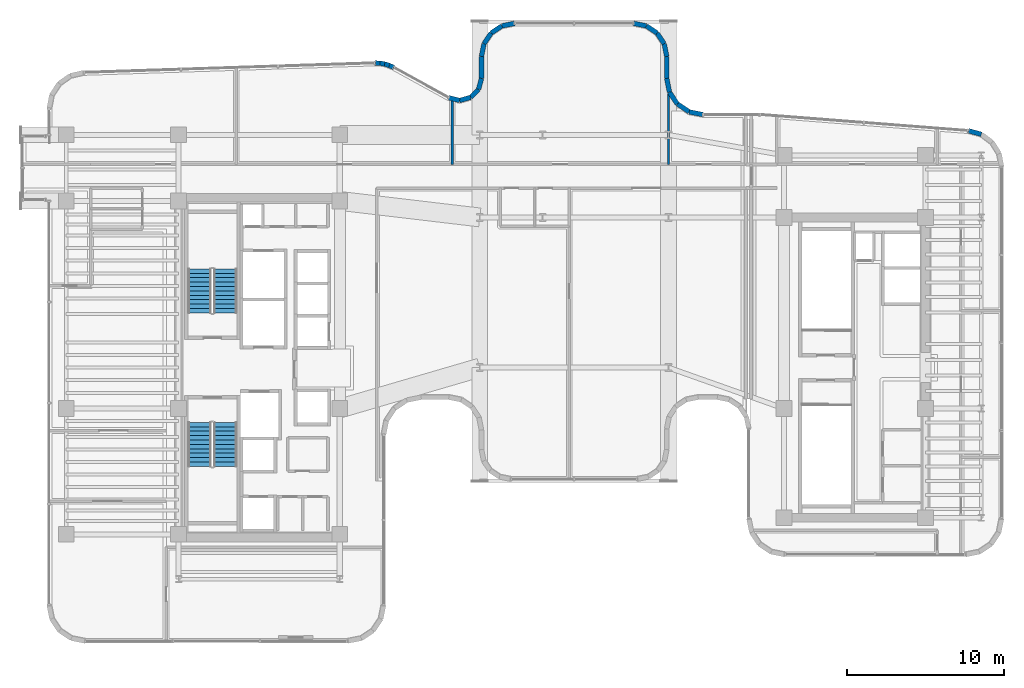
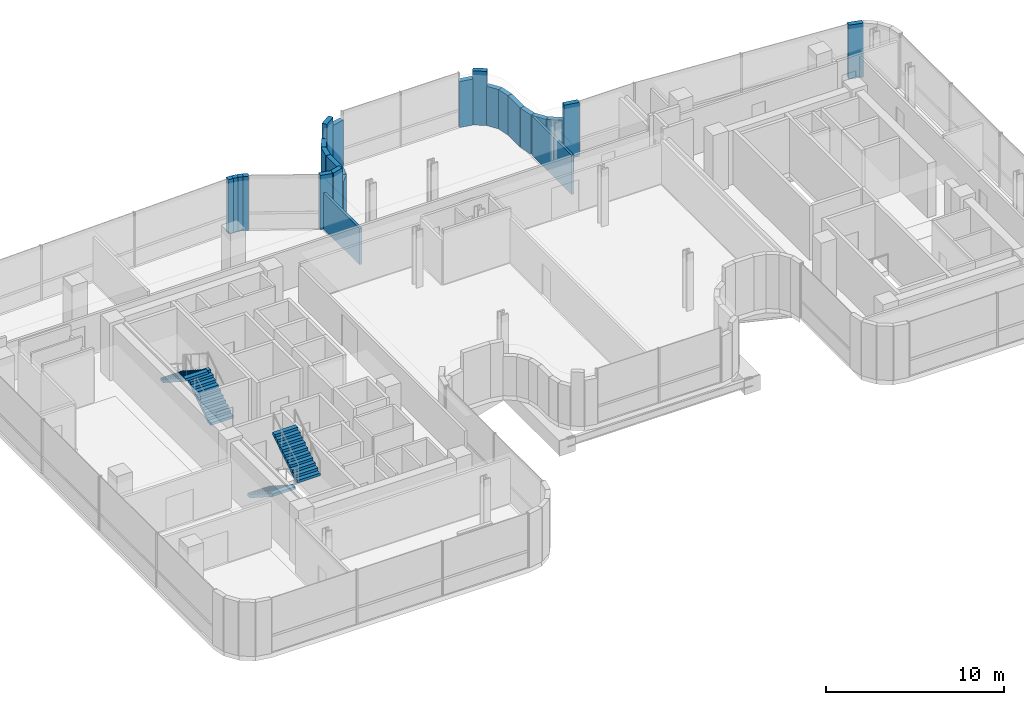
# One storey, part 31 of 35: 25 walls, 4 stair flights, 2 elements without a shape of their own.
"""IFC4 building model written with IfcOpenShell, lengths in metres."""

from ifc_helpers import new_model, si_unit, direction, frame, frame_2d, origin, place, context, subcontext, project, spatial, polyline, rectangle, outline, extrude, material, layer, layer_set, type_object, element, aggregate, save


model = new_model("IFC4")

# Units and contexts
model_context = context("Model", 3, precision=1e-05, world=origin(), true_north=direction((0.0, 1.0)))
body_context = subcontext(model_context, "Body", "Model", "MODEL_VIEW")
ifc_project = project(units=[si_unit("LENGTHUNIT", "METRE"), si_unit("AREAUNIT", "SQUARE_METRE"), si_unit("VOLUMEUNIT", "CUBIC_METRE"), si_unit("PLANEANGLEUNIT", "RADIAN"), si_unit("MASSUNIT", "GRAM", prefix="KILO")], contexts=[model_context])

# Site, building, storey
site_placement = place(None, origin())
site = spatial("IfcSite", under=ifc_project, at=site_placement, CompositionType="ELEMENT")
building_placement = place(site_placement, origin())
building = spatial("IfcBuilding", under=site, at=building_placement, Name="Valdorenza Pilgrim Sanctuary Tower", CompositionType="ELEMENT")
storey_placement = place(building_placement, frame((0.0, 0.0, 192.35009765625)))
storey = spatial("IfcBuildingStorey", under=building, at=storey_placement, Name="L49", CompositionType="ELEMENT", Elevation=192.35009765625)

# Walls
ifc_material_1 = material(Name="Honed travertine limestone", Category="masonry")
ifc_layer_1 = layer(ifc_material_1, 0.300048828125, Name="Honed travertine limestone")
ifc_layer_set_1 = layer_set([ifc_layer_1], Name="Honed travertine limestone")
wall_type_1 = type_object("IfcWallType", Name="WAL-EXT-300", PredefinedType="SOLIDWALL", material=ifc_layer_set_1)
wall_1_placement = place(storey_placement, frame((-10.157958984375, 19.368408203125, 0.0), z_axis=(0.0, 0.0, 1.0), x_axis=(0.999425494718, -0.03389218949, 0.0)))
element("IfcWall", 1, at=wall_1_placement, inside=storey, type_object=wall_type_1, Name="L49 Rounded Wind-Corner Stone Pier 7", PredefinedType="SOLIDWALL", context=body_context, shape_type="SweptSolid", body=[
    extrude(rectangle(XDim=0.309814453125, YDim=0.300048828125, at=frame_2d((0.15478515625, 0.0))), origin(), (0.0, 0.0, 1.0), 3.7099609375),
])
for number, where, z_axis, x_axis, name in (
    (2, (-9.848388671875, 19.35791015625, 0.0), (0.0, 0.0, 1.0), (0.985894009724, -0.167370850479, 0.0), "L49 Rounded Wind-Corner Stone Pier 8"),
    (3, (-9.54638671875, 19.306640625, 0.0), (0.0, 0.0, 1.0), (0.95479144403, -0.297276467966, 0.0), "L49 Rounded Wind-Corner Stone Pier 9"),
):
    element("IfcWall", number, at=place(storey_placement, frame(where, z_axis=z_axis, x_axis=x_axis)), inside=storey, type_object=wall_type_1, Name=name, PredefinedType="SOLIDWALL", context=body_context, shape_type="SweptSolid", body=[
        extrude(rectangle(XDim=0.306396484375, YDim=0.300048828125, at=frame_2d((0.1533203125, 0.0))), origin(), (0.0, 0.0, 1.0), 3.7099609375),
    ])
wall_2_placement = place(storey_placement, frame((-9.25390625, 19.215576171875, 0.0), z_axis=(0.0, 0.0, 1.0), x_axis=(0.906524902388, -0.42215234377, 0.0)))
element("IfcWall", 4, at=wall_2_placement, inside=storey, type_object=wall_type_1, Name="L49 Rounded Wind-Corner Stone Pier 10", PredefinedType="SOLIDWALL", context=body_context, shape_type="SweptSolid", body=[
    extrude(rectangle(XDim=0.31005859375, YDim=0.300048828125, at=frame_2d((0.155029296875, 0.0))), origin(), (0.0, 0.0, 1.0), 3.7099609375),
])
wall_3_placement = place(storey_placement, frame((-5.4716796875, 17.15869140625, 0.0), z_axis=(0.0, 0.0, 1.0), x_axis=(0.970564820059, -0.240840050789, 0.0)))
element("IfcWall", 5, at=wall_3_placement, inside=storey, type_object=wall_type_1, Name="L49 Rounded Wind-Corner Stone Pier 12", PredefinedType="SOLIDWALL", context=body_context, shape_type="SweptSolid", body=[
    extrude(rectangle(XDim=0.711669921875, YDim=0.300048828125, at=frame_2d((0.35595703125, 0.0))), origin(), (0.0, 0.0, 1.0), 3.7099609375),
])
wall_4_placement = place(storey_placement, frame((-4.781005859375, 16.9873046875, 0.0), z_axis=(0.0, 0.0, 1.0), x_axis=(0.962494705656, 0.271300463662, 0.0)))
element("IfcWall", 6, at=wall_4_placement, inside=storey, type_object=wall_type_1, Name="L49 Rounded Wind-Corner Stone Pier 13", PredefinedType="SOLIDWALL", context=body_context, shape_type="SweptSolid", body=[
    extrude(rectangle(XDim=0.726318359375, YDim=0.300048828125, at=frame_2d((0.36328125, 0.0))), origin(), (0.0, 0.0, 1.0), 3.7099609375),
])
wall_5_placement = place(storey_placement, frame((-4.08203125, 17.184326171875, 0.0), z_axis=(0.0, 0.0, 1.0), x_axis=(0.701538604215, 0.712631452293, 0.0)))
element("IfcWall", 7, at=wall_5_placement, inside=storey, type_object=wall_type_1, Name="L49 Rounded Wind-Corner Stone Pier 14", PredefinedType="SOLIDWALL", context=body_context, shape_type="SweptSolid", body=[
    extrude(rectangle(XDim=0.726318359375, YDim=0.300048828125, at=frame_2d((0.36328125, 0.0))), origin(), (0.0, 0.0, 1.0), 2.69482421875),
])
wall_6_placement = place(storey_placement, frame((-3.572509765625, 17.701904296875, 0.0), z_axis=(0.0, 0.0, 1.0), x_axis=(0.256637481794, 0.966507735581, 0.0)))
element("IfcWall", 8, at=wall_6_placement, inside=storey, type_object=wall_type_1, Name="L49 Rounded Wind-Corner Stone Pier 15", PredefinedType="SOLIDWALL", context=body_context, shape_type="SweptSolid", body=[
    extrude(rectangle(XDim=0.711669921875, YDim=0.300048828125, at=frame_2d((0.35595703125, 0.0))), origin(), (0.0, 0.0, 1.0), 2.69482421875),
])
wall_7_placement = place(storey_placement, frame((-3.389892578125, 18.3896484375, 0.0), z_axis=(0.0, 0.0, 1.0), x_axis=(0.0, 1.0, 0.0)))
element("IfcWall", 9, at=wall_7_placement, inside=storey, type_object=wall_type_1, Name="L49 Rounded Wind-Corner Stone Pier 16", PredefinedType="SOLIDWALL", context=body_context, shape_type="SweptSolid", body=[
    extrude(rectangle(XDim=1.3955078125, YDim=0.300048828125, at=frame_2d((0.69775390625, 0.0))), origin(), (0.0, 0.0, 1.0), 2.69482421875),
])
wall_8_placement = place(storey_placement, frame((-3.389892578125, 19.78515625, 0.0), z_axis=(0.0, 0.0, 1.0), x_axis=(0.195094354541, 0.980784478276, 0.0)))
element("IfcWall", 10, at=wall_8_placement, inside=storey, type_object=wall_type_1, Name="L49 Rounded Wind-Corner Stone Pier 17", PredefinedType="SOLIDWALL", context=body_context, shape_type="SweptSolid", body=[
    extrude(rectangle(XDim=0.8271484375, YDim=0.300048828125, at=frame_2d((0.41357421875, 0.0))), origin(), (0.0, 0.0, 1.0), 2.69482421875),
])
wall_9_placement = place(storey_placement, frame((-3.228515625, 20.596435546875, 0.0), z_axis=(0.0, 0.0, 1.0), x_axis=(0.55545926088, 0.831543750805, 0.0)))
element("IfcWall", 11, at=wall_9_placement, inside=storey, type_object=wall_type_1, Name="L49 Rounded Wind-Corner Stone Pier 18", PredefinedType="SOLIDWALL", context=body_context, shape_type="SweptSolid", body=[
    extrude(rectangle(XDim=0.816162109375, YDim=0.300048828125, at=frame_2d((0.408203125, 0.0))), origin(), (0.0, 0.0, 1.0), 2.69482421875),
])
wall_10_placement = place(storey_placement, frame((-2.775146484375, 21.275146484375, 0.0), z_axis=(0.0, 0.0, 1.0), x_axis=(0.831543750805, 0.55545926088, 0.0)))
element("IfcWall", 12, at=wall_10_placement, inside=storey, type_object=wall_type_1, Name="L49 Rounded Wind-Corner Stone Pier 19", PredefinedType="SOLIDWALL", context=body_context, shape_type="SweptSolid", body=[
    extrude(rectangle(XDim=0.816162109375, YDim=0.300048828125, at=frame_2d((0.408203125, 0.0))), origin(), (0.0, 0.0, 1.0), 3.7099609375),
])
for number, where, z_axis, x_axis, name in (
    (13, (-2.096435546875, 21.728515625, 0.0), (0.0, 0.0, 1.0), (0.980784478276, 0.195094354541, 0.0), "L49 Rounded Wind-Corner Stone Pier 20"),
    (14, (6.28515625, 21.889892578125, 0.0), (0.0, 0.0, 1.0), (0.980784478276, -0.195094354541, 0.0), "L49 Rounded Wind-Corner Stone Pier 22"),
):
    element("IfcWall", number, at=place(storey_placement, frame(where, z_axis=z_axis, x_axis=x_axis)), inside=storey, type_object=wall_type_1, Name=name, PredefinedType="SOLIDWALL", context=body_context, shape_type="SweptSolid", body=[
        extrude(rectangle(XDim=0.8271484375, YDim=0.300048828125, at=frame_2d((0.41357421875, 0.0))), origin(), (0.0, 0.0, 1.0), 3.156005859375),
    ])
wall_11_placement = place(storey_placement, frame((7.096435546875, 21.728515625, 0.0), z_axis=(0.0, 0.0, 1.0), x_axis=(0.831543750805, -0.55545926088, 0.0)))
element("IfcWall", 15, at=wall_11_placement, inside=storey, type_object=wall_type_1, Name="L49 Rounded Wind-Corner Stone Pier 23", PredefinedType="SOLIDWALL", context=body_context, shape_type="SweptSolid", body=[
    extrude(rectangle(XDim=0.816162109375, YDim=0.300048828125, at=frame_2d((0.408203125, 0.0))), origin(), (0.0, 0.0, 1.0), 3.7099609375),
])
wall_12_placement = place(storey_placement, frame((7.775146484375, 21.275146484375, 0.0), z_axis=(0.0, 0.0, 1.0), x_axis=(0.55545926088, -0.831543750805, 0.0)))
element("IfcWall", 16, at=wall_12_placement, inside=storey, type_object=wall_type_1, Name="L49 Rounded Wind-Corner Stone Pier 24", PredefinedType="SOLIDWALL", context=body_context, shape_type="SweptSolid", body=[
    extrude(rectangle(XDim=0.816162109375, YDim=0.300048828125, at=frame_2d((0.408203125, 0.0))), origin(), (0.0, 0.0, 1.0), 2.69482421875),
])
wall_13_placement = place(storey_placement, frame((8.228515625, 20.596435546875, 0.0), z_axis=(0.0, 0.0, 1.0), x_axis=(0.195094354541, -0.980784478276, 0.0)))
element("IfcWall", 17, at=wall_13_placement, inside=storey, type_object=wall_type_1, Name="L49 Rounded Wind-Corner Stone Pier 25", PredefinedType="SOLIDWALL", context=body_context, shape_type="SweptSolid", body=[
    extrude(rectangle(XDim=0.8271484375, YDim=0.300048828125, at=frame_2d((0.41357421875, 0.0))), origin(), (0.0, 0.0, 1.0), 2.69482421875),
])
wall_14_placement = place(storey_placement, frame((8.389892578125, 19.78515625, 0.0), z_axis=(0.0, 0.0, 1.0), x_axis=(0.0, -1.0, 0.0)))
element("IfcWall", 18, at=wall_14_placement, inside=storey, type_object=wall_type_1, Name="L49 Rounded Wind-Corner Stone Pier 26", PredefinedType="SOLIDWALL", context=body_context, shape_type="SweptSolid", body=[
    extrude(rectangle(XDim=1.391845703125, YDim=0.300048828125, at=frame_2d((0.69580078125, 0.0))), origin(), (0.0, 0.0, 1.0), 2.69482421875),
])
wall_15_placement = place(storey_placement, frame((8.389892578125, 18.393310546875, 0.0), z_axis=(0.0, 0.0, 1.0), x_axis=(0.195222179208, -0.980759043163, 0.0)))
element("IfcWall", 19, at=wall_15_placement, inside=storey, type_object=wall_type_1, Name="L49 Rounded Wind-Corner Stone Pier 27", PredefinedType="SOLIDWALL", context=body_context, shape_type="SweptSolid", body=[
    extrude(rectangle(XDim=0.892822265625, YDim=0.300048828125, at=frame_2d((0.4462890625, 0.0))), origin(), (0.0, 0.0, 1.0), 2.69482421875),
])
for number, where, z_axis, x_axis, name in (
    (20, (8.564208984375, 17.517578125, 0.0), (0.0, 0.0, 1.0), (0.555448106233, -0.831551201841, 0.0), "L49 Rounded Wind-Corner Stone Pier 28"),
    (21, (9.066162109375, 16.76611328125, 0.0), (0.0, 0.0, 1.0), (0.831551201841, -0.555448106233, 0.0), "L49 Rounded Wind-Corner Stone Pier 29"),
):
    element("IfcWall", number, at=place(storey_placement, frame(where, z_axis=z_axis, x_axis=x_axis)), inside=storey, type_object=wall_type_1, Name=name, PredefinedType="SOLIDWALL", context=body_context, shape_type="SweptSolid", body=[
        extrude(rectangle(XDim=0.90380859375, YDim=0.300048828125, at=frame_2d((0.451904296875, 0.0))), origin(), (0.0, 0.0, 1.0), 2.69482421875),
    ])
wall_16_placement = place(storey_placement, frame((9.817626953125, 16.26416015625, 0.0), z_axis=(0.0, 0.0, 1.0), x_axis=(0.980800964186, -0.195011457743, 0.0)))
element("IfcWall", 22, at=wall_16_placement, inside=storey, type_object=wall_type_1, Name="L49 Rounded Wind-Corner Stone Pier 30", PredefinedType="SOLIDWALL", context=body_context, shape_type="SweptSolid", body=[
    extrude(rectangle(XDim=0.892578125, YDim=0.300048828125, at=frame_2d((0.4462890625, 0.0))), origin(), (0.0, 0.0, 1.0), 3.7099609375),
])
wall_17_placement = place(storey_placement, frame((27.56640625, 15.0625, 0.0), z_axis=(0.0, 0.0, 1.0), x_axis=(0.965357594382, -0.260930479187, 0.0)))
element("IfcWall", 23, at=wall_17_placement, inside=storey, type_object=wall_type_1, Name="L49 Rounded Wind-Corner Stone Pier 33", PredefinedType="SOLIDWALL", context=body_context, shape_type="SweptSolid", body=[
    extrude(rectangle(XDim=0.85986328125, YDim=0.300048828125, at=frame_2d((0.429931640625, 0.0))), origin(), (0.0, 0.0, 1.0), 3.7099609375),
])
ifc_material_2 = material(Name="Acoustic twin-stud gypsum partition", Category="gypsum")
ifc_layer_2 = layer(ifc_material_2, 0.14990234375, Name="Acoustic twin-stud gypsum partition")
ifc_layer_set_2 = layer_set([ifc_layer_2], Name="Acoustic twin-stud gypsum partition")
wall_type_2 = type_object("IfcWallType", Name="WAL-UNT-150", PredefinedType="PARTITIONING", material=ifc_layer_set_2)
wall_18_placement = place(storey_placement, frame((8.5, 12.919921875, 0.0), z_axis=(0.0, 0.0, 1.0), x_axis=(0.0, 1.0, 0.0)))
element("IfcWall", 24, at=wall_18_placement, inside=storey, type_object=wall_type_2, Name="L49 North-East Prow Split Wall", PredefinedType="PARTITIONING", context=body_context, shape_type="SweptSolid", body=[
    extrude(rectangle(XDim=4.468994140625, YDim=0.14990234375, at=frame_2d((2.234375, 0.0))), origin(), (0.0, 0.0, 1.0), 2.69482421875),
])
wall_19_placement = place(storey_placement, frame((-5.24658203125, 12.919921875, 0.0), z_axis=(0.0, 0.0, 1.0), x_axis=(0.0, 1.0, 0.0)))
element("IfcWall", 25, at=wall_19_placement, inside=storey, type_object=wall_type_2, Name="L49 Private Banquet Dining Room L49-N3 Demising Wall", PredefinedType="PARTITIONING", context=body_context, shape_type="SweptSolid", body=[
    extrude(rectangle(XDim=4.05419921875, YDim=0.14990234375, at=frame_2d((2.027099609375, 0.0))), origin(), (0.0, 0.0, 1.0), 2.494873046875),
])

# Stair, stair flights
ifc_material_3 = material(Name="Concrete C40/50", Category="concrete")
stair_type = type_object("IfcStairType", Name="STR-DOG-CORE", PredefinedType="HALF_TURN_STAIR", material=ifc_material_3)
stair_1_placement = place(storey_placement, origin())
stair_1 = element("IfcStair", 26, at=stair_1_placement, inside=storey, type_object=stair_type, Name="L49 ST-A1", PredefinedType="HALF_TURN_STAIR")
stair_flight_type = type_object("IfcStairFlightType", Name="STF-RC-1400", PredefinedType="STRAIGHT", material=ifc_material_3)
stair_flight_1_placement = place(storey_placement, frame((-19.679931640625, 3.47998046875, 0.0), z_axis=(0.0, 0.0, 1.0), x_axis=(0.0, 1.0, 0.0)))
stair_flight_1 = element("IfcStairFlight", 27, at=stair_flight_1_placement, type_object=stair_flight_type, Name="ST-A1 flight 1", NumberOfRisers=11, NumberOfTreads=10, PredefinedType="STRAIGHT", RiserHeight=0.179545455, TreadLength=0.28, context=body_context, shape_type="SweptSolid", body=[
    extrude(outline(polyline([(0.0, 0.0), (0.0, 0.179443359375), (0.280029296875, 0.179443359375), (0.280029296875, 0.359130859375), (0.56005859375, 0.359130859375), (0.56005859375, 0.53857421875), (0.840087890625, 0.53857421875), (0.840087890625, 0.71826171875), (1.1201171875, 0.71826171875), (1.1201171875, 0.897705078125), (1.39990234375, 0.897705078125), (1.39990234375, 1.077392578125), (1.679931640625, 1.077392578125), (1.679931640625, 1.2568359375), (1.9599609375, 1.2568359375), (1.9599609375, 1.436279296875), (2.239990234375, 1.436279296875), (2.239990234375, 1.615966796875), (2.52001953125, 1.615966796875), (2.52001953125, 1.79541015625), (2.800048828125, 1.79541015625), (2.800048828125, 1.97509765625), (2.800048828125, 1.617431640625), (0.277587890625, 0.0), (0.0, 0.0)])), frame((0.0, 0.739990234375, 0.0), z_axis=(0.0, -1.0, 0.0), x_axis=(1.0, 0.0, 0.0)), (0.0, 0.0, 1.0), 1.47998046875),
])
stair_flight_2_placement = place(storey_placement, frame((-21.31005859375, 6.280029296875, 1.974853515625), z_axis=(0.0, 0.0, 1.0), x_axis=(0.0, -1.0, 0.0)))
stair_flight_2 = element("IfcStairFlight", 28, at=stair_flight_2_placement, type_object=stair_flight_type, Name="ST-A1 flight 2", NumberOfRisers=11, NumberOfTreads=10, PredefinedType="STRAIGHT", RiserHeight=0.179545455, TreadLength=0.28, context=body_context, shape_type="SweptSolid", body=[
    extrude(outline(polyline([(0.0, 0.0), (0.0, 0.179443359375), (0.280029296875, 0.179443359375), (0.280029296875, 0.359130859375), (0.56005859375, 0.359130859375), (0.56005859375, 0.53857421875), (0.840087890625, 0.53857421875), (0.840087890625, 0.71826171875), (1.1201171875, 0.71826171875), (1.1201171875, 0.897705078125), (1.39990234375, 0.897705078125), (1.39990234375, 1.077392578125), (1.679931640625, 1.077392578125), (1.679931640625, 1.2568359375), (1.9599609375, 1.2568359375), (1.9599609375, 1.436279296875), (2.239990234375, 1.436279296875), (2.239990234375, 1.615966796875), (2.52001953125, 1.615966796875), (2.52001953125, 1.79541015625), (2.800048828125, 1.79541015625), (2.800048828125, 1.97509765625), (2.800048828125, 1.617431640625), (0.277587890625, 0.0), (0.0, 0.0)])), frame((0.0, 0.739990234375, 0.0), z_axis=(0.0, -1.0, 0.0), x_axis=(1.0, 0.0, 0.0)), (0.0, 0.0, 1.0), 1.47998046875),
])
aggregate(stair_1, [stair_flight_1, stair_flight_2])

stair_2_placement = place(storey_placement, origin())
stair_2 = element("IfcStair", 29, at=stair_2_placement, inside=storey, type_object=stair_type, Name="L49 ST-A2", PredefinedType="HALF_TURN_STAIR")
stair_flight_3_placement = place(storey_placement, frame((-21.31005859375, -3.47998046875, 0.0), z_axis=(0.0, 0.0, 1.0), x_axis=(0.0, -1.0, 0.0)))
stair_flight_3 = element("IfcStairFlight", 30, at=stair_flight_3_placement, type_object=stair_flight_type, Name="ST-A2 flight 1", NumberOfRisers=11, NumberOfTreads=10, PredefinedType="STRAIGHT", RiserHeight=0.179545455, TreadLength=0.28, context=body_context, shape_type="SweptSolid", body=[
    extrude(outline(polyline([(0.0, 0.0), (0.0, 0.179443359375), (0.280029296875, 0.179443359375), (0.280029296875, 0.359130859375), (0.56005859375, 0.359130859375), (0.56005859375, 0.53857421875), (0.840087890625, 0.53857421875), (0.840087890625, 0.71826171875), (1.1201171875, 0.71826171875), (1.1201171875, 0.897705078125), (1.39990234375, 0.897705078125), (1.39990234375, 1.077392578125), (1.679931640625, 1.077392578125), (1.679931640625, 1.2568359375), (1.9599609375, 1.2568359375), (1.9599609375, 1.436279296875), (2.239990234375, 1.436279296875), (2.239990234375, 1.615966796875), (2.52001953125, 1.615966796875), (2.52001953125, 1.79541015625), (2.800048828125, 1.79541015625), (2.800048828125, 1.97509765625), (2.800048828125, 1.617431640625), (0.277587890625, 0.0), (0.0, 0.0)])), frame((0.0, 0.739990234375, 0.0), z_axis=(0.0, -1.0, 0.0), x_axis=(1.0, 0.0, 0.0)), (0.0, 0.0, 1.0), 1.47998046875),
])
stair_flight_4_placement = place(storey_placement, frame((-19.679931640625, -6.280029296875, 1.974853515625), z_axis=(0.0, 0.0, 1.0), x_axis=(0.0, 1.0, 0.0)))
stair_flight_4 = element("IfcStairFlight", 31, at=stair_flight_4_placement, type_object=stair_flight_type, Name="ST-A2 flight 2", NumberOfRisers=11, NumberOfTreads=10, PredefinedType="STRAIGHT", RiserHeight=0.179545455, TreadLength=0.28, context=body_context, shape_type="SweptSolid", body=[
    extrude(outline(polyline([(0.0, 0.0), (0.0, 0.179443359375), (0.280029296875, 0.179443359375), (0.280029296875, 0.359130859375), (0.56005859375, 0.359130859375), (0.56005859375, 0.53857421875), (0.840087890625, 0.53857421875), (0.840087890625, 0.71826171875), (1.1201171875, 0.71826171875), (1.1201171875, 0.897705078125), (1.39990234375, 0.897705078125), (1.39990234375, 1.077392578125), (1.679931640625, 1.077392578125), (1.679931640625, 1.2568359375), (1.9599609375, 1.2568359375), (1.9599609375, 1.436279296875), (2.239990234375, 1.436279296875), (2.239990234375, 1.615966796875), (2.52001953125, 1.615966796875), (2.52001953125, 1.79541015625), (2.800048828125, 1.79541015625), (2.800048828125, 1.97509765625), (2.800048828125, 1.617431640625), (0.277587890625, 0.0), (0.0, 0.0)])), frame((0.0, 0.739990234375, 0.0), z_axis=(0.0, -1.0, 0.0), x_axis=(1.0, 0.0, 0.0)), (0.0, 0.0, 1.0), 1.47998046875),
])
aggregate(stair_2, [stair_flight_3, stair_flight_4])

save(model, "model.ifc")
